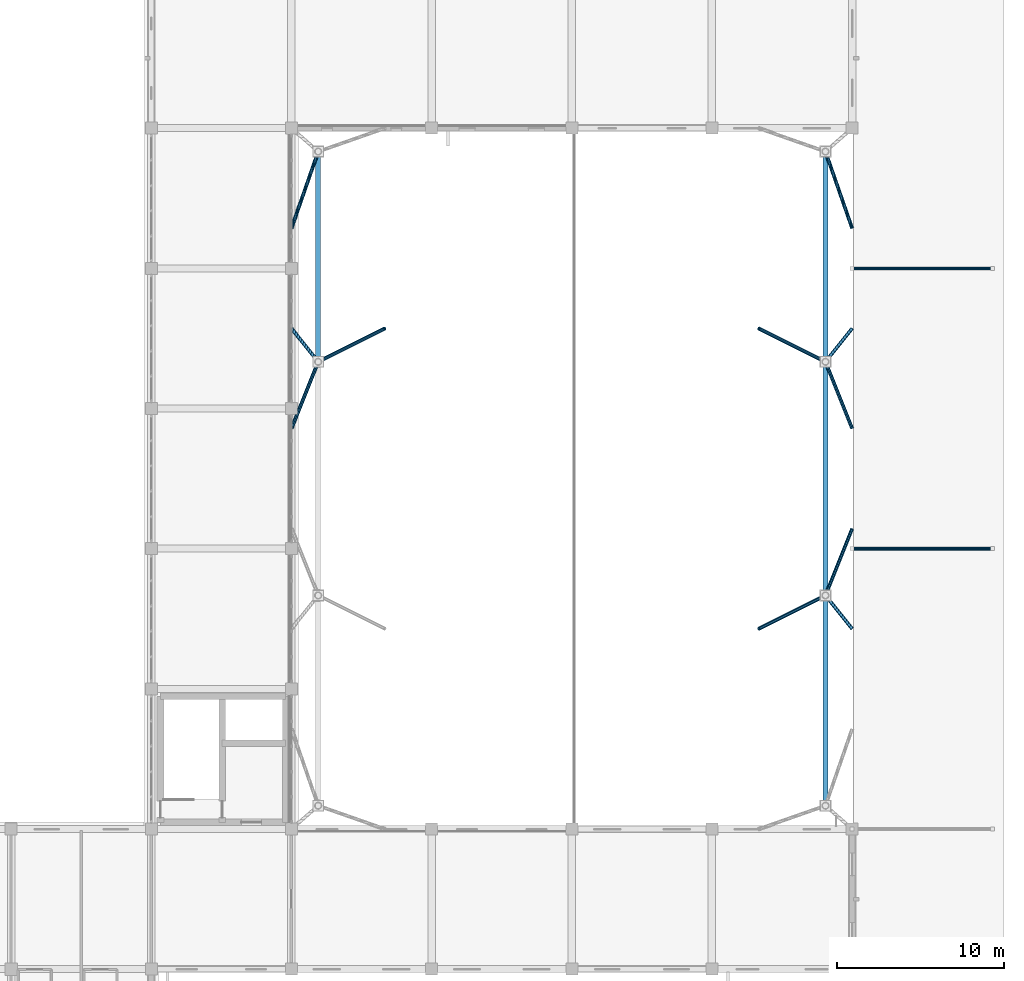
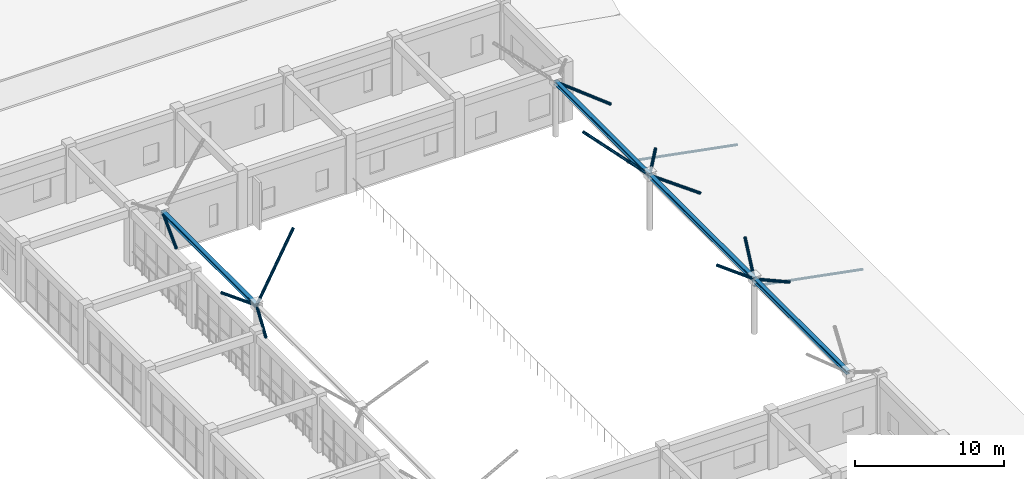
# One storey, part 98 of 158: 13 members, 4 beams.
"""IFC4 building model written with IfcOpenShell, lengths in metres."""

from ifc_helpers import new_model, si_unit, direction, frame, origin, origin_2d, place, context, subcontext, project, spatial, hollow_circle, i_section, extrude, material, material_profile, profile_set, type_object, element, save


model = new_model("IFC4")

# Units and contexts
model_context = context("Model", 3, precision=1e-05, world=origin(), true_north=direction((0.0, 1.0)))
body_context = subcontext(model_context, "Body", "Model", "MODEL_VIEW")
ifc_project = project(units=[si_unit("LENGTHUNIT", "METRE"), si_unit("AREAUNIT", "SQUARE_METRE"), si_unit("VOLUMEUNIT", "CUBIC_METRE"), si_unit("PLANEANGLEUNIT", "RADIAN"), si_unit("MASSUNIT", "GRAM", prefix="KILO")], contexts=[model_context])

# Site, building, storey
site_placement = place(None, origin())
site = spatial("IfcSite", under=ifc_project, at=site_placement, CompositionType="ELEMENT")
building_placement = place(site_placement, origin())
building = spatial("IfcBuilding", under=site, at=building_placement, Name="Trelvath General Hospital", CompositionType="ELEMENT")
storey_placement = place(building_placement, frame((0.0, 0.0, 8.10009765625)))
storey = spatial("IfcBuildingStorey", under=building, at=storey_placement, Name="L02", CompositionType="ELEMENT", Elevation=8.10009765625)

# Beams
ifc_material_1 = material(Name="Steel S355", Category="steel")
ifc_material_profile_1 = material_profile(ifc_material_1, i_section(OverallWidth=0.300048828125, OverallDepth=0.31005859375, WebThickness=0.009033203125, FlangeThickness=0.015380859375, at=origin_2d()), Name="HEA320")
ifc_profile_set_1 = profile_set([ifc_material_profile_1], Name="Steel S355")
beam_type = type_object("IfcBeamType", Name="RingBeam HEA320", PredefinedType="BEAM", material=ifc_profile_set_1)
beam_1_placement = place(storey_placement, frame((144.39990234375, 53.199951171875, 4.39990234375), z_axis=(0.0, 1.0, 0.0), x_axis=(-1.0, 0.0, 0.0)))
element("IfcBeam", 1, at=beam_1_placement, inside=storey, type_object=beam_type, Name="Space Frame Tree Tie Beam W3", PredefinedType="BEAM", context=body_context, shape_type="SweptSolid", body=[
    extrude(i_section(OverallWidth=0.300048828125, OverallDepth=0.31005859375, WebThickness=0.009033203125, FlangeThickness=0.015380859375, at=origin_2d()), origin(), (0.0, 0.0, 1.0), 12.60009765625),
])
beam_2_placement = place(storey_placement, frame((174.800048828125, 26.60009765625, 4.39990234375), z_axis=(0.0, 1.0, 0.0), x_axis=(-1.0, 0.0, 0.0)))
element("IfcBeam", 2, at=beam_2_placement, inside=storey, type_object=beam_type, Name="Space Frame Tree Tie Beam E1", PredefinedType="BEAM", context=body_context, shape_type="SweptSolid", body=[
    extrude(i_section(OverallWidth=0.300048828125, OverallDepth=0.31005859375, WebThickness=0.009033203125, FlangeThickness=0.015380859375, at=origin_2d()), origin(), (0.0, 0.0, 1.0), 12.599853515625),
])
beam_3_placement = place(storey_placement, frame((174.800048828125, 39.199951171875, 4.39990234375), z_axis=(0.0, 1.0, 0.0), x_axis=(-1.0, 0.0, 0.0)))
element("IfcBeam", 3, at=beam_3_placement, inside=storey, type_object=beam_type, Name="Space Frame Tree Tie Beam E2", PredefinedType="BEAM", context=body_context, shape_type="SweptSolid", body=[
    extrude(i_section(OverallWidth=0.300048828125, OverallDepth=0.31005859375, WebThickness=0.009033203125, FlangeThickness=0.015380859375, at=origin_2d()), origin(), (0.0, 0.0, 1.0), 14.0),
])
beam_4_placement = place(storey_placement, frame((174.800048828125, 53.199951171875, 4.39990234375), z_axis=(0.0, 1.0, 0.0), x_axis=(-1.0, 0.0, 0.0)))
element("IfcBeam", 4, at=beam_4_placement, inside=storey, type_object=beam_type, Name="Space Frame Tree Tie Beam E3", PredefinedType="BEAM", context=body_context, shape_type="SweptSolid", body=[
    extrude(i_section(OverallWidth=0.300048828125, OverallDepth=0.31005859375, WebThickness=0.009033203125, FlangeThickness=0.015380859375, at=origin_2d()), origin(), (0.0, 0.0, 1.0), 12.60009765625),
])

# Members
ifc_material_2 = material(Name="Steel S355", Category="steel")
ifc_material_profile_2 = material_profile(ifc_material_2, hollow_circle(Radius=0.096923828125, WallThickness=0.008056640625, at=origin_2d()), Name="CHS193.7x8.0")
ifc_profile_set_2 = profile_set([ifc_material_profile_2], Name="Steel S355")
member_type_1 = type_object("IfcMemberType", Name="ShellStrut CHS193", PredefinedType="STRUT", material=ifc_profile_set_2)
for number, where, z_axis, x_axis, name in (
    (5, (184.800048828125, 42.0, 0.0), (-0.982770179759, 0.0, 0.184831744506), (0.0, -1.0, 0.0), "East Arcade Roof Strut 14"),
    (6, (184.800048828125, 58.800048828125, 0.0), (-0.982770179759, 0.0, 0.184831744506), (0.0, -1.0, 0.0), "East Arcade Roof Strut 15"),
):
    element("IfcMember", number, at=place(storey_placement, frame(where, z_axis=z_axis, x_axis=x_axis)), inside=storey, type_object=member_type_1, Name=name, PredefinedType="STRUT", context=body_context, shape_type="SweptSolid", body=[
        extrude(hollow_circle(Radius=0.096923828125, WallThickness=0.008056640625, at=origin_2d()), origin(), (0.0, 0.0, 1.0), 8.54736328125),
    ])
ifc_material_3 = material(Name="Steel S355", Category="steel")
ifc_material_profile_3 = material_profile(ifc_material_3, hollow_circle(Radius=0.109619140625, WallThickness=0.010009765625, at=origin_2d()), Name="CHS219.1x10.0")
ifc_profile_set_3 = profile_set([ifc_material_profile_3], Name="Steel S355")
member_type_2 = type_object("IfcMemberType", Name="TreeStrut CHS219", PredefinedType="STRUT", material=ifc_profile_set_3)
member_1_placement = place(storey_placement, frame((144.39990234375, 53.199951171875, 4.39990234375), z_axis=(-0.617182004562, 0.771548143044, 0.15427195536), x_axis=(-0.780896708461, -0.624660172186, 0.0)))
element("IfcMember", 7, at=member_1_placement, inside=storey, type_object=member_type_2, Name="Branching Tree Strut TS-07", PredefinedType="STRUT", context=body_context, shape_type="SweptSolid", body=[
    extrude(hollow_circle(Radius=0.109619140625, WallThickness=0.010009765625, at=origin_2d()), origin(), (0.0, 0.0, 1.0), 2.59228515625),
])
member_2_placement = place(storey_placement, frame((144.39990234375, 53.199951171875, 4.39990234375), z_axis=(-0.369771675482, -0.924513830475, 0.092428811909), x_axis=(0.92848841534, -0.371361363875, 0.0)))
element("IfcMember", 8, at=member_2_placement, inside=storey, type_object=member_type_2, Name="Branching Tree Strut TS-08", PredefinedType="STRUT", context=body_context, shape_type="SweptSolid", body=[
    extrude(hollow_circle(Radius=0.109619140625, WallThickness=0.010009765625, at=origin_2d()), origin(), (0.0, 0.0, 1.0), 4.32666015625),
])
member_3_placement = place(storey_placement, frame((144.39990234375, 53.199951171875, 4.39990234375), z_axis=(0.686617993239, 0.34330899662, 0.64085463578), x_axis=(-0.4472135955, 0.894427191, 0.0)))
element("IfcMember", 9, at=member_3_placement, inside=storey, type_object=member_type_2, Name="Branching Tree Strut TS-09", PredefinedType="STRUT", context=body_context, shape_type="SweptSolid", body=[
    extrude(hollow_circle(Radius=0.109619140625, WallThickness=0.010009765625, at=origin_2d()), origin(), (0.0, 0.0, 1.0), 5.82568359375),
])
member_4_placement = place(storey_placement, frame((144.39990234375, 65.800048828125, 4.39990234375), z_axis=(-0.327385817432, -0.941340389449, 0.081833964437), x_axis=(0.944508292558, -0.328487572505, 0.0)))
element("IfcMember", 10, at=member_4_placement, inside=storey, type_object=member_type_2, Name="Branching Tree Strut TS-12", PredefinedType="STRUT", context=body_context, shape_type="SweptSolid", body=[
    extrude(hollow_circle(Radius=0.109619140625, WallThickness=0.010009765625, at=origin_2d()), origin(), (0.0, 0.0, 1.0), 4.88671875),
])
member_5_placement = place(storey_placement, frame((174.800048828125, 39.199951171875, 4.39990234375), z_axis=(0.617182004562, -0.771548143044, 0.15427195536), x_axis=(0.780896708461, 0.624660172186, 0.0)))
element("IfcMember", 11, at=member_5_placement, inside=storey, type_object=member_type_2, Name="Branching Tree Strut TS-16", PredefinedType="STRUT", context=body_context, shape_type="SweptSolid", body=[
    extrude(hollow_circle(Radius=0.109619140625, WallThickness=0.010009765625, at=origin_2d()), origin(), (0.0, 0.0, 1.0), 2.59228515625),
])
member_6_placement = place(storey_placement, frame((174.800048828125, 39.199951171875, 4.39990234375), z_axis=(0.369771675482, 0.924513830475, 0.092428811909), x_axis=(-0.92848841534, 0.371361363875, 0.0)))
element("IfcMember", 12, at=member_6_placement, inside=storey, type_object=member_type_2, Name="Branching Tree Strut TS-17", PredefinedType="STRUT", context=body_context, shape_type="SweptSolid", body=[
    extrude(hollow_circle(Radius=0.109619140625, WallThickness=0.010009765625, at=origin_2d()), origin(), (0.0, 0.0, 1.0), 4.32666015625),
])
member_7_placement = place(storey_placement, frame((174.800048828125, 39.199951171875, 4.39990234375), z_axis=(-0.686617993239, -0.34330899662, 0.64085463578), x_axis=(0.4472135955, -0.894427191, 0.0)))
element("IfcMember", 13, at=member_7_placement, inside=storey, type_object=member_type_2, Name="Branching Tree Strut TS-18", PredefinedType="STRUT", context=body_context, shape_type="SweptSolid", body=[
    extrude(hollow_circle(Radius=0.109619140625, WallThickness=0.010009765625, at=origin_2d()), origin(), (0.0, 0.0, 1.0), 5.82568359375),
])
member_8_placement = place(storey_placement, frame((174.800048828125, 53.199951171875, 4.39990234375), z_axis=(0.617182004562, 0.771548143044, 0.15427195536), x_axis=(-0.780896708461, 0.624660172186, 0.0)))
element("IfcMember", 14, at=member_8_placement, inside=storey, type_object=member_type_2, Name="Branching Tree Strut TS-19", PredefinedType="STRUT", context=body_context, shape_type="SweptSolid", body=[
    extrude(hollow_circle(Radius=0.109619140625, WallThickness=0.010009765625, at=origin_2d()), origin(), (0.0, 0.0, 1.0), 2.59228515625),
])
member_9_placement = place(storey_placement, frame((174.800048828125, 53.199951171875, 4.39990234375), z_axis=(0.369771675482, -0.924513830475, 0.092428811909), x_axis=(0.92848841534, 0.371361363875, 0.0)))
element("IfcMember", 15, at=member_9_placement, inside=storey, type_object=member_type_2, Name="Branching Tree Strut TS-20", PredefinedType="STRUT", context=body_context, shape_type="SweptSolid", body=[
    extrude(hollow_circle(Radius=0.109619140625, WallThickness=0.010009765625, at=origin_2d()), origin(), (0.0, 0.0, 1.0), 4.32666015625),
])
member_10_placement = place(storey_placement, frame((174.800048828125, 53.199951171875, 4.39990234375), z_axis=(-0.686617993239, 0.34330899662, 0.64085463578), x_axis=(-0.4472135955, -0.894427191, 0.0)))
element("IfcMember", 16, at=member_10_placement, inside=storey, type_object=member_type_2, Name="Branching Tree Strut TS-21", PredefinedType="STRUT", context=body_context, shape_type="SweptSolid", body=[
    extrude(hollow_circle(Radius=0.109619140625, WallThickness=0.010009765625, at=origin_2d()), origin(), (0.0, 0.0, 1.0), 5.82568359375),
])
member_11_placement = place(storey_placement, frame((174.800048828125, 65.800048828125, 4.39990234375), z_axis=(0.327385817432, -0.941340389449, 0.081833964437), x_axis=(0.944508292558, 0.328487572505, 0.0)))
element("IfcMember", 17, at=member_11_placement, inside=storey, type_object=member_type_2, Name="Branching Tree Strut TS-24", PredefinedType="STRUT", context=body_context, shape_type="SweptSolid", body=[
    extrude(hollow_circle(Radius=0.109619140625, WallThickness=0.010009765625, at=origin_2d()), origin(), (0.0, 0.0, 1.0), 4.88671875),
])

save(model, "model.ifc")
